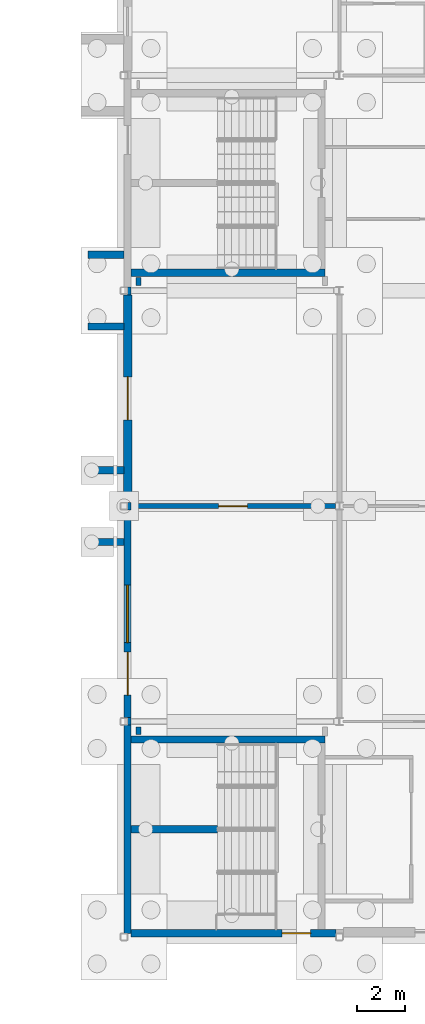
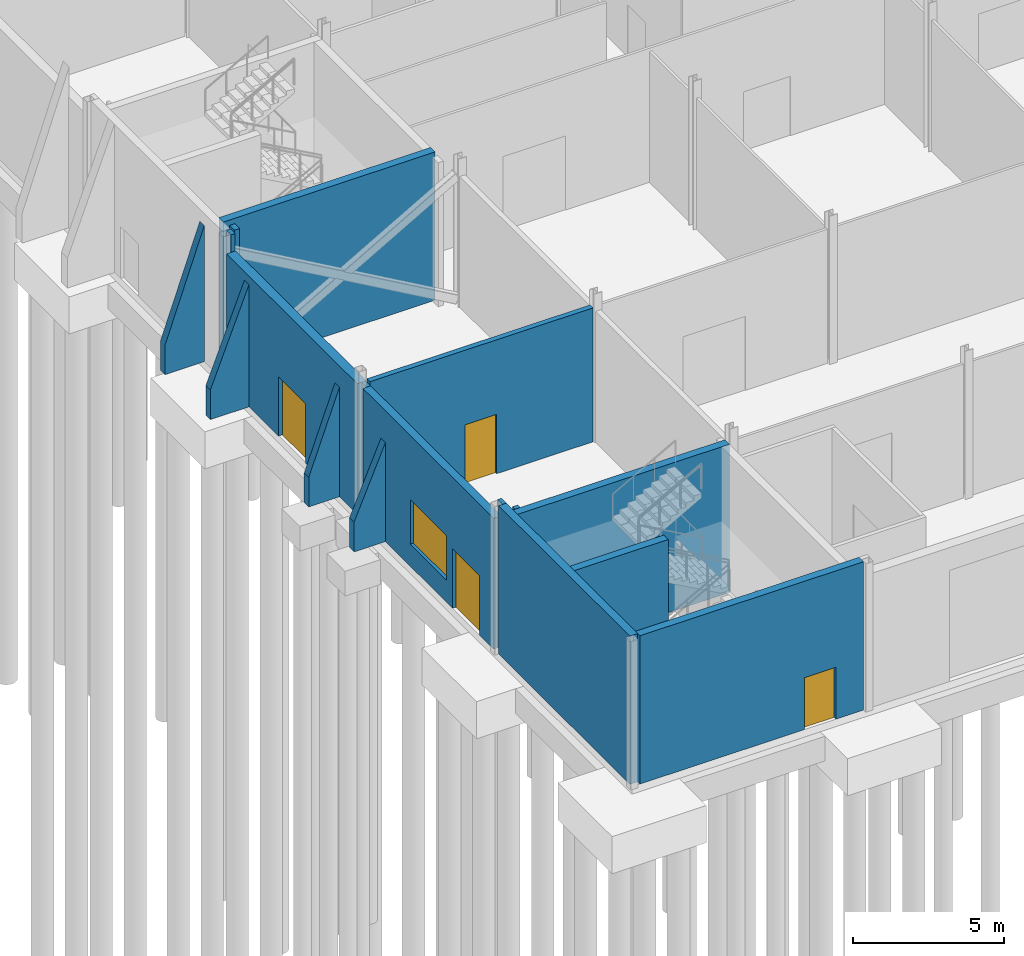
# One storey, part 97 of 139: 17 walls, 4 doors, 1 window, 5 openings.
"""IFC4 building model written with IfcOpenShell, lengths in metres."""

from ifc_helpers import new_model, si_unit, direction, frame, frame_2d, origin, place, context, subcontext, project, spatial, polyline, rectangle, outline, extrude, material, layer, layer_set, type_object, element, fill, save


model = new_model("IFC4")

# Units and contexts
model_context = context("Model", 3, precision=1e-05, world=origin(), true_north=direction((0.0, 1.0)))
body_context = subcontext(model_context, "Body", "Model", "MODEL_VIEW")
ifc_project = project(units=[si_unit("LENGTHUNIT", "METRE"), si_unit("AREAUNIT", "SQUARE_METRE"), si_unit("VOLUMEUNIT", "CUBIC_METRE"), si_unit("PLANEANGLEUNIT", "RADIAN"), si_unit("MASSUNIT", "GRAM", prefix="KILO")], contexts=[model_context])

# Site, building, storey
site_placement = place(None, origin())
site = spatial("IfcSite", under=ifc_project, at=site_placement, CompositionType="ELEMENT")
building_placement = place(site_placement, origin())
building = spatial("IfcBuilding", under=site, at=building_placement, Name="Shorebreak Coast Museum", CompositionType="ELEMENT")
storey_placement = place(building_placement, origin())
storey = spatial("IfcBuildingStorey", under=building, at=storey_placement, Name="L00", CompositionType="ELEMENT", Elevation=0.0)

# Walls
ifc_material_1 = material(Name="Concrete N50 (50 MPa)", Category="concrete")
ifc_layer_1 = layer(ifc_material_1, 0.14990234375)
ifc_layer_set_1 = layer_set([ifc_layer_1], Name="Concrete N50 (50 MPa)")
wall_type_1 = type_object("IfcWallType", Name="Column closure panel 150", PredefinedType="SOLIDWALL", material=ifc_layer_set_1)
wall_1_placement = place(storey_placement, frame((54.22509765625, 8.85009765625, 0.0), z_axis=(0.0, 0.0, 1.0), x_axis=(0.0, 1.0, 0.0)))
element("IfcWall", 1, at=wall_1_placement, inside=storey, type_object=wall_type_1, Name="Column closure panel L00 W 7B", PredefinedType="SOLIDWALL", context=body_context, shape_type="SweptSolid", body=[
    extrude(rectangle(XDim=0.322021484375, YDim=0.14990234375, at=frame_2d((0.1611328125, 0.0))), origin(), (0.0, 0.0, 1.0), 6.0),
])
wall_2_placement = place(storey_placement, frame((54.22509765625, 17.839111328125, 0.0), z_axis=(0.0, 0.0, 1.0), x_axis=(0.0, 1.0, 0.0)))
element("IfcWall", 2, at=wall_2_placement, inside=storey, type_object=wall_type_1, Name="Column closure panel L00 W 7C", PredefinedType="SOLIDWALL", context=body_context, shape_type="SweptSolid", body=[
    extrude(rectangle(XDim=0.32177734375, YDim=0.14990234375, at=frame_2d((0.160888671875, 0.0))), origin(), (0.0, 0.0, 1.0), 5.2919921875),
])
wall_3_placement = place(storey_placement, frame((54.22509765625, 26.827880859375, 0.0), z_axis=(0.0, 0.0, 1.0), x_axis=(0.0, 1.0, 0.0)))
element("IfcWall", 3, at=wall_3_placement, inside=storey, type_object=wall_type_1, Name="Column closure panel L00 W 7D", PredefinedType="SOLIDWALL", context=body_context, shape_type="SweptSolid", body=[
    extrude(rectangle(XDim=0.322021484375, YDim=0.14990234375, at=frame_2d((0.1611328125, 0.0))), origin(), (0.0, 0.0, 1.0), 6.0),
])

# Wall, opening, door
ifc_material_2 = material(Name="Concrete masonry", Category="masonry")
ifc_layer_2 = layer(ifc_material_2, 0.199951171875)
ifc_layer_set_2 = layer_set([ifc_layer_2], Name="Concrete masonry")
wall_type_2 = type_object("IfcWallType", Name="Fire wall 200", PredefinedType="PARTITIONING", material=ifc_layer_set_2)
wall_4_placement = place(storey_placement, frame((54.300048828125, 18.0, 0.0), z_axis=(0.0, 0.0, 1.0), x_axis=(1.0, 0.0, 0.0)))
wall_4 = element("IfcWall", 4, at=wall_4_placement, inside=storey, type_object=wall_type_2, Name="Partition L00-008", PredefinedType="PARTITIONING", context=body_context, shape_type="SweptSolid", body=[
    extrude(rectangle(XDim=8.54541015625, YDim=0.199951171875, at=frame_2d((4.272705078125, 0.0))), origin(), (0.0, 0.0, 1.0), 5.418701171875),
])
opening_1_placement = place(wall_4_placement, frame((3.64990234375, 0.0, 0.0)))
opening_1 = element("IfcOpeningElement", 5, at=opening_1_placement, cuts=wall_4, Name="Opening D0005", PredefinedType="OPENING", context=body_context, shape_type="SweptSolid", body=[
    extrude(rectangle(XDim=1.199951171875, YDim=2.39990234375, at=frame_2d((0.60009765625, 1.199951171875))), frame((0.0, 0.10986328125, 0.0), z_axis=(0.0, -1.0, 0.0), x_axis=(1.0, 0.0, 0.0)), (0.0, 0.0, 1.0), 0.219970703125),
])
ifc_material_3 = material(Name="Steel", Category="steel")
door_type_1 = type_object("IfcDoorType", Name="Fire door 1200x2400 120", OperationType="SINGLE_SWING_LEFT", PredefinedType="DOOR", material=ifc_material_3)
door_1_placement = place(opening_1_placement, origin())
door_1 = element("IfcDoor", 6, at=door_1_placement, inside=storey, type_object=door_type_1, Name="Door D0005 Plant Room 1", OperationType="SINGLE_SWING_RIGHT", OverallHeight=2.39990234375, OverallWidth=1.199951171875, PredefinedType="DOOR", context=body_context, shape_type="SweptSolid", body=[
    extrude(rectangle(XDim=1.199951171875, YDim=2.39990234375, at=frame_2d((0.60009765625, 1.199951171875))), frame((0.0, 0.02490234375, 0.0), z_axis=(0.0, -1.0, 0.0), x_axis=(1.0, 0.0, 0.0)), (0.0, 0.0, 1.0), 0.050048828125),
])
fill(opening_1, door_1)

# Walls
for number, where, z_axis, x_axis, name in (
    (7, (54.60009765625, 8.449951171875, 0.0), (0.0, 0.0, 1.0), (0.0, 1.0, 0.0), "Partition L00-092"),
    (8, (54.60009765625, 27.219970703125, 0.0), (0.0, 0.0, 1.0), (0.0, 1.0, 0.0), "Partition L00-093"),
):
    element("IfcWall", number, at=place(storey_placement, frame(where, z_axis=z_axis, x_axis=x_axis)), inside=storey, type_object=wall_type_2, Name=name, PredefinedType="PARTITIONING", context=body_context, shape_type="SweptSolid", body=[
        extrude(rectangle(XDim=0.330078125, YDim=0.199951171875, at=frame_2d((0.1650390625, 0.0))), origin(), (0.0, 0.0, 1.0), 5.824951171875),
    ])

# Wall, openings, window, door
ifc_material_4 = material(Name="Concrete N50 (50 MPa)", Category="concrete")
ifc_layer_3 = layer(ifc_material_4, 0.300048828125)
ifc_layer_set_3 = layer_set([ifc_layer_3], Name="Concrete N50 (50 MPa)")
wall_type_3 = type_object("IfcWallType", Name="Plant wall 300 rated", PredefinedType="SOLIDWALL", material=ifc_layer_set_3)
wall_5_placement = place(storey_placement, frame((54.14990234375, 9.172119140625, 0.0), z_axis=(0.0, 0.0, 1.0), x_axis=(0.0, 1.0, 0.0)))
wall_5 = element("IfcWall", 9, at=wall_5_placement, inside=storey, type_object=wall_type_3, Name="External wall L00 W 7B", PredefinedType="SOLIDWALL", context=body_context, shape_type="SweptSolid", body=[
    extrude(rectangle(XDim=8.6669921875, YDim=0.300048828125, at=frame_2d((4.33349609375, 0.0))), origin(), (0.0, 0.0, 1.0), 5.2919921875),
])
opening_2_placement = place(wall_5_placement, frame((3.1279296875, 0.0, 0.89990234375)))
opening_2 = element("IfcOpeningElement", 10, at=opening_2_placement, cuts=wall_5, Name="Opening WN0009", PredefinedType="OPENING", context=body_context, shape_type="SweptSolid", body=[
    extrude(rectangle(XDim=2.39990234375, YDim=1.800048828125, at=frame_2d((1.199951171875, 0.89990234375))), frame((0.0, 0.159912109375, 0.0), z_axis=(0.0, -1.0, 0.0), x_axis=(1.0, 0.0, 0.0)), (0.0, 0.0, 1.0), 0.320068359375),
])
opening_3_placement = place(wall_5_placement, frame((0.927978515625, 0.0, 0.0)))
opening_3 = element("IfcOpeningElement", 11, at=opening_3_placement, cuts=wall_5, Name="Opening D0906", PredefinedType="OPENING", context=body_context, shape_type="SweptSolid", body=[
    extrude(rectangle(XDim=1.800048828125, YDim=2.39990234375, at=frame_2d((0.89990234375, 1.199951171875))), frame((0.0, 0.159912109375, 0.0), z_axis=(0.0, -1.0, 0.0), x_axis=(1.0, 0.0, 0.0)), (0.0, 0.0, 1.0), 0.320068359375),
])
ifc_material_5 = material(Name="Aluminium", Category="aluminium")
window_type = type_object("IfcWindowType", Name="Plant louvre 2400 x 1800", PartitioningType="TRIPLE_PANEL_VERTICAL", PredefinedType="WINDOW", material=ifc_material_5)
window_placement = place(opening_2_placement, origin())
window = element("IfcWindow", 12, at=window_placement, inside=storey, type_object=window_type, Name="Louvre WN0009", OverallHeight=1.800048828125, OverallWidth=2.39990234375, PartitioningType="TRIPLE_PANEL_VERTICAL", PredefinedType="WINDOW", context=body_context, shape_type="SweptSolid", body=[
    extrude(rectangle(XDim=2.39990234375, YDim=1.800048828125, at=frame_2d((1.199951171875, 0.89990234375))), frame((0.0, 0.030029296875, 0.0), z_axis=(0.0, -1.0, 0.0), x_axis=(1.0, 0.0, 0.0)), (0.0, 0.0, 1.0), 0.06005859375),
])
fill(opening_2, window)
ifc_material_6 = material(Name="Aluminium", Category="aluminium")
door_type_2 = type_object("IfcDoorType", Name="Plant louvre door 1800 x 2400", OperationType="DOUBLE_DOOR_SINGLE_SWING", PredefinedType="DOOR", material=ifc_material_6)
door_2_placement = place(opening_3_placement, origin())
door_2 = element("IfcDoor", 13, at=door_2_placement, inside=storey, type_object=door_type_2, Name="Plant door D0906", OperationType="DOUBLE_DOOR_SINGLE_SWING", OverallHeight=2.39990234375, OverallWidth=1.800048828125, PredefinedType="DOOR", context=body_context, shape_type="SweptSolid", body=[
    extrude(rectangle(XDim=1.800048828125, YDim=2.39990234375, at=frame_2d((0.89990234375, 1.199951171875))), frame((0.0, 0.02490234375, 0.0), z_axis=(0.0, -1.0, 0.0), x_axis=(1.0, 0.0, 0.0)), (0.0, 0.0, 1.0), 0.050048828125),
])
fill(opening_3, door_2)

# Wall, opening, door
ifc_material_7 = material(Name="Concrete N50 (50 MPa)", Category="concrete")
ifc_layer_4 = layer(ifc_material_7, 0.35009765625)
ifc_layer_set_4 = layer_set([ifc_layer_4], Name="Concrete N50 (50 MPa)")
wall_type_4 = type_object("IfcWallType", Name="Precast plinth panel 350", PredefinedType="SOLIDWALL", material=ifc_layer_set_4)
wall_6_placement = place(storey_placement, frame((54.14990234375, 18.160888671875, 0.0), z_axis=(0.0, 0.0, 1.0), x_axis=(0.0, 1.0, 0.0)))
wall_6 = element("IfcWall", 14, at=wall_6_placement, inside=storey, type_object=wall_type_4, Name="External wall L00 W 7C", PredefinedType="SOLIDWALL", context=body_context, shape_type="SweptSolid", body=[
    extrude(rectangle(XDim=8.6669921875, YDim=0.35009765625, at=frame_2d((4.33349609375, 0.0))), origin(), (0.0, 0.0, 1.0), 5.2919921875),
])
opening_4_placement = place(wall_6_placement, frame((3.43896484375, 0.0, 0.0)))
opening_4 = element("IfcOpeningElement", 15, at=opening_4_placement, cuts=wall_6, Name="Opening D0905", PredefinedType="OPENING", context=body_context, shape_type="SweptSolid", body=[
    extrude(rectangle(XDim=1.800048828125, YDim=2.39990234375, at=frame_2d((0.89990234375, 1.199951171875))), frame((0.0, 0.18505859375, 0.0), z_axis=(0.0, -1.0, 0.0), x_axis=(1.0, 0.0, 0.0)), (0.0, 0.0, 1.0), 0.3701171875),
])
ifc_material_8 = material(Name="Aluminium", Category="aluminium")
door_type_3 = type_object("IfcDoorType", Name="Service double door 1800 x 2400", OperationType="DOUBLE_DOOR_SINGLE_SWING", PredefinedType="DOOR", material=ifc_material_8)
door_3_placement = place(opening_4_placement, origin())
door_3 = element("IfcDoor", 16, at=door_3_placement, inside=storey, type_object=door_type_3, Name="Service door D0905", OperationType="DOUBLE_DOOR_SINGLE_SWING", OverallHeight=2.39990234375, OverallWidth=1.800048828125, PredefinedType="DOOR", context=body_context, shape_type="SweptSolid", body=[
    extrude(rectangle(XDim=1.800048828125, YDim=2.39990234375, at=frame_2d((0.89990234375, 1.199951171875))), frame((0.0, 0.02490234375, 0.0), z_axis=(0.0, -1.0, 0.0), x_axis=(1.0, 0.0, 0.0)), (0.0, 0.0, 1.0), 0.050048828125),
])
fill(opening_4, door_3)

ifc_material_9 = material(Name="Concrete N50 (50 MPa)", Category="concrete")
ifc_layer_5 = layer(ifc_material_9, 0.300048828125)
ifc_layer_set_5 = layer_set([ifc_layer_5], Name="Concrete N50 (50 MPa)")
wall_type_5 = type_object("IfcWallType", Name="RC wall 300", PredefinedType="SHEAR", material=ifc_layer_set_5)
wall_7_placement = place(storey_placement, frame((54.300048828125, 0.14990234375, 0.0), z_axis=(0.0, 0.0, 1.0), x_axis=(1.0, 0.0, 0.0)))
wall_7 = element("IfcWall", 17, at=wall_7_placement, inside=storey, type_object=wall_type_5, Name="Stair core wall ST11 L00 S", PredefinedType="SHEAR", context=body_context, shape_type="SweptSolid", body=[
    extrude(rectangle(XDim=8.550048828125, YDim=0.300048828125, at=frame_2d((4.27490234375, 0.0))), origin(), (0.0, 0.0, 1.0), 6.0),
])
opening_5_placement = place(wall_7_placement, frame((6.300048828125, 0.0, 0.0)))
opening_5 = element("IfcOpeningElement", 18, at=opening_5_placement, cuts=wall_7, Name="Opening D0711", PredefinedType="OPENING", context=body_context, shape_type="SweptSolid", body=[
    extrude(rectangle(XDim=1.199951171875, YDim=2.10009765625, at=frame_2d((0.60009765625, 1.050048828125))), frame((0.0, 0.159912109375, 0.0), z_axis=(0.0, -1.0, 0.0), x_axis=(1.0, 0.0, 0.0)), (0.0, 0.0, 1.0), 0.320068359375),
])
ifc_material_10 = material(Name="Steel Grade 300", Category="steel")
door_type_4 = type_object("IfcDoorType", Name="Exit door 1200x2100", OperationType="SINGLE_SWING_LEFT", PredefinedType="DOOR", material=ifc_material_10)
door_4_placement = place(opening_5_placement, frame((1.199951171875, 0.0, 0.0), z_axis=(0.0, 0.0, 1.0), x_axis=(-1.0, 0.0, 0.0)))
door_4 = element("IfcDoor", 19, at=door_4_placement, inside=storey, type_object=door_type_4, Name="Exit door ST11", OperationType="SINGLE_SWING_LEFT", OverallHeight=2.10009765625, OverallWidth=1.199951171875, PredefinedType="DOOR", context=body_context, shape_type="SweptSolid", body=[
    extrude(rectangle(XDim=1.199951171875, YDim=2.10009765625, at=frame_2d((0.60009765625, 1.050048828125))), frame((0.0, 0.02490234375, 0.0), z_axis=(0.0, -1.0, 0.0), x_axis=(1.0, 0.0, 0.0)), (0.0, 0.0, 1.0), 0.050048828125),
])
fill(opening_5, door_4)

# Walls
wall_8_placement = place(storey_placement, frame((54.300048828125, 8.25, 0.0), z_axis=(0.0, 0.0, 1.0), x_axis=(1.0, 0.0, 0.0)))
element("IfcWall", 20, at=wall_8_placement, inside=storey, type_object=wall_type_5, Name="Stair core wall ST11 L00 N", PredefinedType="SHEAR", context=body_context, shape_type="SweptSolid", body=[
    extrude(rectangle(XDim=8.099853515625, YDim=0.300048828125, at=frame_2d((4.0498046875, 0.0))), origin(), (0.0, 0.0, 1.0), 6.0),
])
wall_9_placement = place(storey_placement, frame((54.14990234375, 0.14990234375, 0.0), z_axis=(0.0, 0.0, 1.0), x_axis=(0.0, 1.0, 0.0)))
element("IfcWall", 21, at=wall_9_placement, inside=storey, type_object=wall_type_5, Name="Stair core wall ST11 L00 W", PredefinedType="SHEAR", context=body_context, shape_type="SweptSolid", body=[
    extrude(rectangle(XDim=8.7001953125, YDim=0.300048828125, at=frame_2d((4.35009765625, 0.0))), origin(), (0.0, 0.0, 1.0), 6.0),
])
wall_10_placement = place(storey_placement, frame((54.300048828125, 27.75, 0.0), z_axis=(0.0, 0.0, 1.0), x_axis=(1.0, 0.0, 0.0)))
element("IfcWall", 22, at=wall_10_placement, inside=storey, type_object=wall_type_5, Name="Stair core wall ST13 L00 S", PredefinedType="SHEAR", context=body_context, shape_type="SweptSolid", body=[
    extrude(rectangle(XDim=8.099853515625, YDim=0.300048828125, at=frame_2d((4.0498046875, 0.0))), origin(), (0.0, 0.0, 1.0), 6.0),
])
wall_11_placement = place(storey_placement, frame((57.89990234375, 4.5, 0.0), z_axis=(0.0, 0.0, 1.0), x_axis=(-1.0, 0.0, 0.0)))
element("IfcWall", 23, at=wall_11_placement, inside=storey, type_object=wall_type_5, Name="Stair spine wall ST11 L00", PredefinedType="SHEAR", context=body_context, shape_type="SweptSolid", body=[
    extrude(rectangle(XDim=3.599853515625, YDim=0.300048828125, at=frame_2d((1.7998046875, 0.0))), origin(), (0.0, 0.0, 1.0), 6.0),
])
ifc_material_11 = material(Name="Concrete N50 (50 MPa)", Category="concrete")
ifc_layer_6 = layer(ifc_material_11, 0.300048828125)
ifc_layer_set_6 = layer_set([ifc_layer_6], Name="Concrete N50 (50 MPa)")
wall_type_6 = type_object("IfcWallType", Name="Raked fin 300", PredefinedType="SOLIDWALL", material=ifc_layer_set_6)
wall_12_placement = place(storey_placement, frame((54.0, 16.5, 0.0), z_axis=(0.0, 0.0, 1.0), x_axis=(-1.0, 0.0, 0.0)))
element("IfcWall", 24, at=wall_12_placement, inside=storey, type_object=wall_type_6, Name="Raked fin SW33", PredefinedType="SOLIDWALL", context=body_context, shape_type="SweptSolid", body=[
    extrude(outline(polyline([(0.0, 0.0), (1.199951171875, 0.0), (1.199951171875, 1.199951171875), (0.0, 4.0), (0.0, 0.0)])), frame((0.0, 0.14990234375, 0.0), z_axis=(0.0, -1.0, 0.0), x_axis=(1.0, 0.0, 0.0)), (0.0, 0.0, 1.0), 0.300048828125),
])
wall_13_placement = place(storey_placement, frame((54.0, 19.5, 0.0), z_axis=(0.0, 0.0, 1.0), x_axis=(-1.0, 0.0, 0.0)))
element("IfcWall", 25, at=wall_13_placement, inside=storey, type_object=wall_type_6, Name="Raked fin SW34", PredefinedType="SOLIDWALL", context=body_context, shape_type="SweptSolid", body=[
    extrude(outline(polyline([(0.0, 0.0), (1.199951171875, 0.0), (1.199951171875, 1.199951171875), (0.0, 4.5), (0.0, 0.0)])), frame((0.0, 0.14990234375, 0.0), z_axis=(0.0, -1.0, 0.0), x_axis=(1.0, 0.0, 0.0)), (0.0, 0.0, 1.0), 0.300048828125),
])
wall_14_placement = place(storey_placement, frame((54.0, 25.5, 0.0), z_axis=(0.0, 0.0, 1.0), x_axis=(-1.0, 0.0, 0.0)))
element("IfcWall", 26, at=wall_14_placement, inside=storey, type_object=wall_type_6, Name="Raked fin SW35", PredefinedType="SOLIDWALL", context=body_context, shape_type="SweptSolid", body=[
    extrude(outline(polyline([(0.0, 0.0), (1.5, 0.0), (1.5, 1.199951171875), (0.0, 5.0), (0.0, 0.0)])), frame((0.0, 0.14990234375, 0.0), z_axis=(0.0, -1.0, 0.0), x_axis=(1.0, 0.0, 0.0)), (0.0, 0.0, 1.0), 0.300048828125),
])
wall_15_placement = place(storey_placement, frame((54.0, 28.5, 0.0), z_axis=(0.0, 0.0, 1.0), x_axis=(-1.0, 0.0, 0.0)))
element("IfcWall", 27, at=wall_15_placement, inside=storey, type_object=wall_type_6, Name="Raked fin SW36", PredefinedType="SOLIDWALL", context=body_context, shape_type="SweptSolid", body=[
    extrude(outline(polyline([(0.0, 0.0), (1.5, 0.0), (1.5, 1.199951171875), (0.0, 5.5), (0.0, 0.0)])), frame((0.0, 0.14990234375, 0.0), z_axis=(0.0, -1.0, 0.0), x_axis=(1.0, 0.0, 0.0)), (0.0, 0.0, 1.0), 0.300048828125),
])

save(model, "model.ifc")
